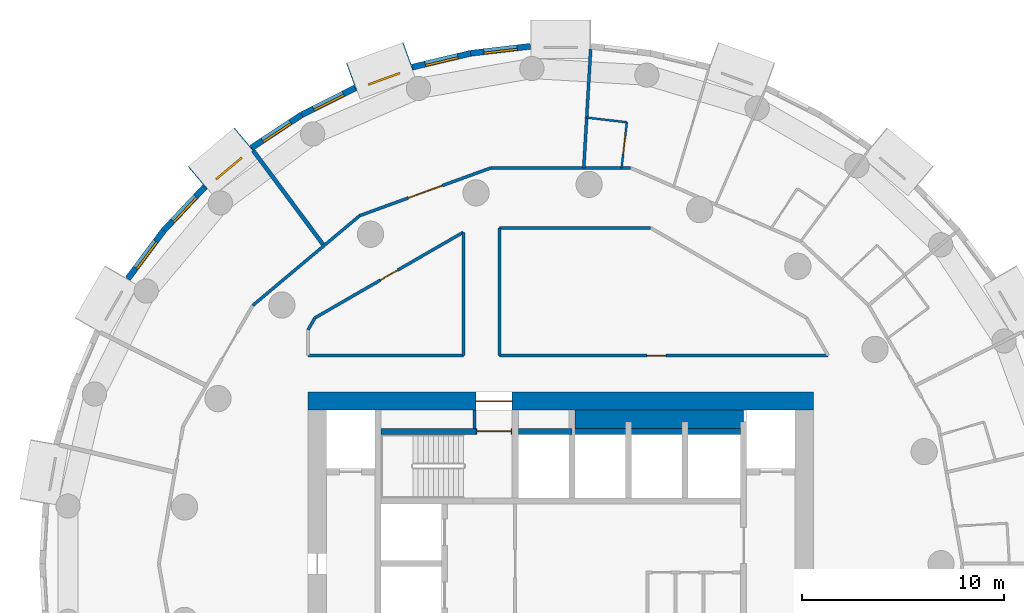
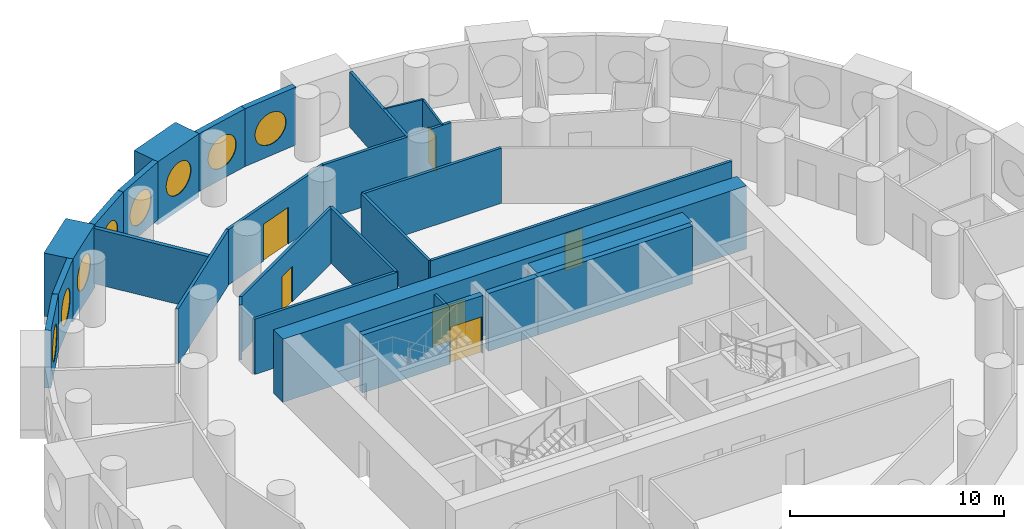
# One storey, part 6 of 10: 29 walls, 8 windows, 6 doors, 14 openings.
"""IFC4 building model written with IfcOpenShell, lengths in metres."""

from ifc_helpers import new_model, si_unit, direction, frame, frame_2d, origin, origin_2d, place, context, subcontext, project, spatial, rectangle, circle, extrude, material, layer, layer_set, type_object, element, fill, save


model = new_model("IFC4")

# Units and contexts
model_context = context("Model", 3, precision=1e-05, world=origin(), true_north=direction((0.0, 1.0)))
body_context = subcontext(model_context, "Body", "Model", "MODEL_VIEW")
ifc_project = project(units=[si_unit("LENGTHUNIT", "METRE"), si_unit("AREAUNIT", "SQUARE_METRE"), si_unit("VOLUMEUNIT", "CUBIC_METRE"), si_unit("PLANEANGLEUNIT", "RADIAN"), si_unit("MASSUNIT", "GRAM", prefix="KILO")], contexts=[model_context])

# Site, building, storey
site_placement = place(None, origin())
site = spatial("IfcSite", under=ifc_project, at=site_placement, CompositionType="ELEMENT")
building_placement = place(site_placement, origin())
building = spatial("IfcBuilding", under=site, at=building_placement, Name="Tracery Tower", CompositionType="ELEMENT")
storey_placement = place(building_placement, frame((0.0, 0.0, 212.39990234375)))
storey = spatial("IfcBuildingStorey", under=building, at=storey_placement, Name="L55", CompositionType="ELEMENT", Elevation=212.39990234375)

# Walls
ifc_material_1 = material(Name="Plasterboard on steel studs", Category="steel")
ifc_layer_1 = layer(ifc_material_1, 0.14990234375)
ifc_layer_set_1 = layer_set([ifc_layer_1], Name="Core room partition 150")
wall_type_1 = type_object("IfcWallType", Name="Core room partition 150", PredefinedType="SOLIDWALL", material=ifc_layer_set_1)
wall_1_placement = place(storey_placement, frame((-4.27490234375, 6.699951171875, 0.0), z_axis=(0.0, 0.0, 1.0), x_axis=(0.0, 1.0, 0.0)))
element("IfcWall", 1, at=wall_1_placement, inside=storey, type_object=wall_type_1, Name="L55 F N room", PredefinedType="SOLIDWALL", context=body_context, shape_type="SweptSolid", body=[
    extrude(rectangle(XDim=0.900146484375, YDim=0.14990234375, at=frame_2d((0.4501953125, 0.0))), origin(), (0.0, 0.0, 1.0), 3.300048828125),
])
ifc_material_2 = material(Name="Concrete C50/60", Category="concrete")
ifc_layer_2 = layer(ifc_material_2, 0.89990234375)
ifc_layer_set_2 = layer_set([ifc_layer_2], Name="Core strip wall 900 C50")
wall_type_2 = type_object("IfcWallType", Name="Core strip wall 900 C50", PredefinedType="SOLIDWALL", material=ifc_layer_set_2)
wall_2_placement = place(storey_placement, frame((0.699951171875, 7.14990234375, 0.0), z_axis=(0.0, 0.0, 1.0), x_axis=(1.0, 0.0, 0.0)))
element("IfcWall", 2, at=wall_2_placement, inside=storey, type_object=wall_type_2, Name="L55 F thick N E", PredefinedType="SOLIDWALL", context=body_context, shape_type="SweptSolid", body=[
    extrude(rectangle(XDim=8.35009765625, YDim=0.89990234375, at=frame_2d((4.175048828125, 0.0))), origin(), (0.0, 0.0, 1.0), 3.300048828125),
])

# Wall, opening, door
ifc_material_3 = material(Name="Concrete C50/60", Category="concrete")
ifc_layer_3 = layer(ifc_material_3, 0.89990234375)
ifc_layer_set_3 = layer_set([ifc_layer_3], Name="Core wall 900 C50")
wall_type_3 = type_object("IfcWallType", Name="Core wall 900 C50", PredefinedType="SOLIDWALL", material=ifc_layer_set_3)
wall_3_placement = place(storey_placement, frame((-12.5, 8.050048828125, 0.0), z_axis=(0.0, 0.0, 1.0), x_axis=(1.0, 0.0, 0.0)))
wall_3 = element("IfcWall", 3, at=wall_3_placement, inside=storey, type_object=wall_type_3, Name="L55 outer N", PredefinedType="SOLIDWALL", context=body_context, shape_type="SweptSolid", body=[
    extrude(rectangle(XDim=25.0, YDim=0.89990234375, at=frame_2d((12.5, 0.0))), origin(), (0.0, 0.0, 1.0), 3.60009765625),
])
opening_1_placement = place(wall_3_placement, frame((8.300048828125, 0.0, 0.0)))
opening_1 = element("IfcOpeningElement", 4, at=opening_1_placement, cuts=wall_3, Name="Opening KD13", PredefinedType="OPENING", context=body_context, shape_type="SweptSolid", body=[
    extrude(rectangle(XDim=1.800048828125, YDim=2.10009765625, at=frame_2d((0.89990234375, 1.050048828125))), frame((0.0, 0.449951171875, 0.0), z_axis=(0.0, -1.0, 0.0), x_axis=(1.0, 0.0, 0.0)), (0.0, 0.0, 1.0), 0.89990234375),
])
ifc_material_4 = material(Name="Steel fire door", Category="steel")
door_type_1 = type_object("IfcDoorType", Name="Core exit door 1800 double", OperationType="NOTDEFINED", PredefinedType="DOOR", material=ifc_material_4)
door_1_placement = place(opening_1_placement, origin())
door_1 = element("IfcDoor", 5, at=door_1_placement, inside=storey, type_object=door_type_1, Name="Core exit door", OperationType="DOUBLE_DOOR_SINGLE_SWING", OverallHeight=2.10009765625, OverallWidth=1.800048828125, PredefinedType="DOOR", context=body_context, shape_type="SweptSolid", body=[
    extrude(rectangle(XDim=1.800048828125, YDim=2.10009765625, at=frame_2d((0.89990234375, 1.050048828125))), frame((0.0, 0.02490234375, 0.0), z_axis=(0.0, -1.0, 0.0), x_axis=(1.0, 0.0, 0.0)), (0.0, 0.0, 1.0), 0.050048828125),
])
fill(opening_1, door_1)

# Wall, opening, window
ifc_material_5 = material(Name="Precast concrete C50/60", Category="concrete")
ifc_layer_4 = layer(ifc_material_5, 1.449951171875)
ifc_layer_set_4 = layer_set([ifc_layer_4], Name="Deep-set bay unit 3000 x 3600, slab edge 300")
wall_type_4 = type_object("IfcWallType", Name="Deep-set bay unit 3000 x 3600, slab edge 300", PredefinedType="ELEMENTEDWALL", material=ifc_layer_set_4)
wall_4_placement = place(storey_placement, frame((-7.544189453125, 25.11328125, -0.2998046875), z_axis=(0.0, 0.0, 1.0), x_axis=(-0.939686455819, -0.342037080957, 0.0)))
wall_4 = element("IfcWall", 6, at=wall_4_placement, inside=storey, type_object=wall_type_4, Name="Deep-set bay unit 17 at L55", PredefinedType="ELEMENTEDWALL", context=body_context, shape_type="SweptSolid", body=[
    extrude(rectangle(XDim=3.0, YDim=1.449951171875, at=frame_2d((1.5, 0.0))), origin(), (0.0, 0.0, 1.0), 3.599853515625),
])
opening_2_placement = place(wall_4_placement, frame((1.5, 0.0, 1.85009765625)))
opening_2 = element("IfcOpeningElement", 7, at=opening_2_placement, cuts=wall_4, Name="Opening WN1", PredefinedType="OPENING", context=body_context, shape_type="SweptSolid", body=[
    extrude(circle(Radius=0.9000244140625, at=origin_2d()), frame((0.0, 0.73486328125, 0.0), z_axis=(0.0, -1.0, 0.0), x_axis=(1.0, 0.0, 0.0)), (0.0, 0.0, 1.0), 1.469970703125),
])
ifc_material_6 = material(Name="Aluminium frame with tinted double glazing", Category="aluminium")
window_type = type_object("IfcWindowType", Name="Round window 1800", PartitioningType="SINGLE_PANEL", PredefinedType="WINDOW", material=ifc_material_6)
window_1_placement = place(opening_2_placement, origin())
window_1 = element("IfcWindow", 8, at=window_1_placement, inside=storey, type_object=window_type, Name="Round window 17 at L55", OverallHeight=1.800048828125, OverallWidth=1.800048828125, PartitioningType="SINGLE_PANEL", PredefinedType="WINDOW", context=body_context, shape_type="SweptSolid", body=[
    extrude(circle(Radius=0.9000244140625, at=origin_2d()), frame((0.0, 0.69482421875, 0.0), z_axis=(0.0, -1.0, 0.0), x_axis=(1.0, 0.0, 0.0)), (0.0, 0.0, 1.0), 0.10009765625),
])
fill(opening_2, window_1)

wall_5_placement = place(storey_placement, frame((-15.678466796875, 21.0185546875, -0.2998046875), z_axis=(0.0, 0.0, 1.0), x_axis=(-0.766022196139, -0.642814121673, 0.0)))
wall_5 = element("IfcWall", 9, at=wall_5_placement, inside=storey, type_object=wall_type_4, Name="Deep-set bay unit 20 at L55", PredefinedType="ELEMENTEDWALL", context=body_context, shape_type="SweptSolid", body=[
    extrude(rectangle(XDim=3.0, YDim=1.449951171875, at=frame_2d((1.5, 0.0))), origin(), (0.0, 0.0, 1.0), 3.599853515625),
])
opening_3_placement = place(wall_5_placement, frame((1.5, 0.0, 1.85009765625)))
opening_3 = element("IfcOpeningElement", 10, at=opening_3_placement, cuts=wall_5, Name="Opening WN1", PredefinedType="OPENING", context=body_context, shape_type="SweptSolid", body=[
    extrude(circle(Radius=0.9000244140625, at=origin_2d()), frame((0.0, 0.73486328125, 0.0), z_axis=(0.0, -1.0, 0.0), x_axis=(1.0, 0.0, 0.0)), (0.0, 0.0, 1.0), 1.469970703125),
])
window_2_placement = place(opening_3_placement, origin())
window_2 = element("IfcWindow", 11, at=window_2_placement, inside=storey, type_object=window_type, Name="Round window 20 at L55", OverallHeight=1.800048828125, OverallWidth=1.800048828125, PartitioningType="SINGLE_PANEL", PredefinedType="WINDOW", context=body_context, shape_type="SweptSolid", body=[
    extrude(circle(Radius=0.9000244140625, at=origin_2d()), frame((0.0, 0.69482421875, 0.0), z_axis=(0.0, -1.0, 0.0), x_axis=(1.0, 0.0, 0.0)), (0.0, 0.0, 1.0), 0.10009765625),
])
fill(opening_3, window_2)

ifc_material_7 = material(Name="Precast concrete C50/60", Category="concrete")
ifc_layer_5 = layer(ifc_material_7, 0.300048828125)
ifc_layer_set_5 = layer_set([ifc_layer_5], Name="Facade panel 3000 x 3300")
wall_type_5 = type_object("IfcWallType", Name="Facade panel 3000 x 3300", PredefinedType="SOLIDWALL", material=ifc_layer_set_5)
wall_6_placement = place(storey_placement, frame((-1.500732421875, 25.60302734375, 0.0), z_axis=(0.0, 0.0, 1.0), x_axis=(-0.993235542767, -0.116116995244, 0.0)))
wall_6 = element("IfcWall", 12, at=wall_6_placement, inside=storey, type_object=wall_type_5, Name="Facade panel 15 at L55", PredefinedType="SOLIDWALL", context=body_context, shape_type="SweptSolid", body=[
    extrude(rectangle(XDim=2.972900390625, YDim=0.300048828125, at=frame_2d((1.486328125, 0.0))), origin(), (0.0, 0.0, 1.0), 3.300048828125),
])
opening_4_placement = place(wall_6_placement, frame((1.486328125, 0.0, 1.5498046875)))
opening_4 = element("IfcOpeningElement", 13, at=opening_4_placement, cuts=wall_6, Name="Opening WN1", PredefinedType="OPENING", context=body_context, shape_type="SweptSolid", body=[
    extrude(circle(Radius=0.9000244140625, at=origin_2d()), frame((0.0, 0.159912109375, 0.0), z_axis=(0.0, -1.0, 0.0), x_axis=(1.0, 0.0, 0.0)), (0.0, 0.0, 1.0), 0.320068359375),
])
window_3_placement = place(opening_4_placement, origin())
window_3 = element("IfcWindow", 14, at=window_3_placement, inside=storey, type_object=window_type, Name="Round window 15 at L55", OverallHeight=1.800048828125, OverallWidth=1.800048828125, PartitioningType="SINGLE_PANEL", PredefinedType="WINDOW", context=body_context, shape_type="SweptSolid", body=[
    extrude(circle(Radius=0.9000244140625, at=origin_2d()), frame((0.0, 0.1201171875, 0.0), z_axis=(0.0, -1.0, 0.0), x_axis=(1.0, 0.0, 0.0)), (0.0, 0.0, 1.0), 0.10009765625),
])
fill(opening_4, window_3)

wall_7_placement = place(storey_placement, frame((-4.45361328125, 25.2578125, 0.0), z_axis=(0.0, 0.0, 1.0), x_axis=(-0.973049746156, -0.230595298102, 0.0)))
wall_7 = element("IfcWall", 15, at=wall_7_placement, inside=storey, type_object=wall_type_5, Name="Facade panel 16 at L55", PredefinedType="SOLIDWALL", context=body_context, shape_type="SweptSolid", body=[
    extrude(rectangle(XDim=2.972900390625, YDim=0.300048828125, at=frame_2d((1.486328125, 0.0))), origin(), (0.0, 0.0, 1.0), 3.300048828125),
])
opening_5_placement = place(wall_7_placement, frame((1.486328125, 0.0, 1.5498046875)))
opening_5 = element("IfcOpeningElement", 16, at=opening_5_placement, cuts=wall_7, Name="Opening WN1", PredefinedType="OPENING", context=body_context, shape_type="SweptSolid", body=[
    extrude(circle(Radius=0.9000244140625, at=origin_2d()), frame((0.0, 0.159912109375, 0.0), z_axis=(0.0, -1.0, 0.0), x_axis=(1.0, 0.0, 0.0)), (0.0, 0.0, 1.0), 0.320068359375),
])
window_4_placement = place(opening_5_placement, origin())
window_4 = element("IfcWindow", 17, at=window_4_placement, inside=storey, type_object=window_type, Name="Round window 16 at L55", OverallHeight=1.800048828125, OverallWidth=1.800048828125, PartitioningType="SINGLE_PANEL", PredefinedType="WINDOW", context=body_context, shape_type="SweptSolid", body=[
    extrude(circle(Radius=0.9000244140625, at=origin_2d()), frame((0.0, 0.1201171875, 0.0), z_axis=(0.0, -1.0, 0.0), x_axis=(1.0, 0.0, 0.0)), (0.0, 0.0, 1.0), 0.10009765625),
])
fill(opening_5, window_4)

wall_8_placement = place(storey_placement, frame((-10.1669921875, 23.545654296875, 0.0), z_axis=(0.0, 0.0, 1.0), x_axis=(-0.893637442555, -0.448789618045, 0.0)))
wall_8 = element("IfcWall", 18, at=wall_8_placement, inside=storey, type_object=wall_type_5, Name="Facade panel 18 at L55", PredefinedType="SOLIDWALL", context=body_context, shape_type="SweptSolid", body=[
    extrude(rectangle(XDim=2.972900390625, YDim=0.300048828125, at=frame_2d((1.486328125, 0.0))), origin(), (0.0, 0.0, 1.0), 3.300048828125),
])
opening_6_placement = place(wall_8_placement, frame((1.486328125, 0.0, 1.5498046875)))
opening_6 = element("IfcOpeningElement", 19, at=opening_6_placement, cuts=wall_8, Name="Opening WN1", PredefinedType="OPENING", context=body_context, shape_type="SweptSolid", body=[
    extrude(circle(Radius=0.9000244140625, at=origin_2d()), frame((0.0, 0.159912109375, 0.0), z_axis=(0.0, -1.0, 0.0), x_axis=(1.0, 0.0, 0.0)), (0.0, 0.0, 1.0), 0.320068359375),
])
window_5_placement = place(opening_6_placement, origin())
window_5 = element("IfcWindow", 20, at=window_5_placement, inside=storey, type_object=window_type, Name="Round window 18 at L55", OverallHeight=1.800048828125, OverallWidth=1.800048828125, PartitioningType="SINGLE_PANEL", PredefinedType="WINDOW", context=body_context, shape_type="SweptSolid", body=[
    extrude(circle(Radius=0.9000244140625, at=origin_2d()), frame((0.0, 0.1201171875, 0.0), z_axis=(0.0, -1.0, 0.0), x_axis=(1.0, 0.0, 0.0)), (0.0, 0.0, 1.0), 0.10009765625),
])
fill(opening_6, window_5)

wall_9_placement = place(storey_placement, frame((-12.82373046875, 22.21142578125, 0.0), z_axis=(0.0, 0.0, 1.0), x_axis=(-0.835470659512, -0.549535055382, 0.0)))
wall_9 = element("IfcWall", 21, at=wall_9_placement, inside=storey, type_object=wall_type_5, Name="Facade panel 19 at L55", PredefinedType="SOLIDWALL", context=body_context, shape_type="SweptSolid", body=[
    extrude(rectangle(XDim=2.97314453125, YDim=0.300048828125, at=frame_2d((1.486572265625, 0.0))), origin(), (0.0, 0.0, 1.0), 3.300048828125),
])
opening_7_placement = place(wall_9_placement, frame((1.486328125, 0.0, 1.5498046875)))
opening_7 = element("IfcOpeningElement", 22, at=opening_7_placement, cuts=wall_9, Name="Opening WN1", PredefinedType="OPENING", context=body_context, shape_type="SweptSolid", body=[
    extrude(circle(Radius=0.9000244140625, at=origin_2d()), frame((0.0, 0.159912109375, 0.0), z_axis=(0.0, -1.0, 0.0), x_axis=(1.0, 0.0, 0.0)), (0.0, 0.0, 1.0), 0.320068359375),
])
window_6_placement = place(opening_7_placement, origin())
window_6 = element("IfcWindow", 23, at=window_6_placement, inside=storey, type_object=window_type, Name="Round window 19 at L55", OverallHeight=1.800048828125, OverallWidth=1.800048828125, PartitioningType="SINGLE_PANEL", PredefinedType="WINDOW", context=body_context, shape_type="SweptSolid", body=[
    extrude(circle(Radius=0.9000244140625, at=origin_2d()), frame((0.0, 0.1201171875, 0.0), z_axis=(0.0, -1.0, 0.0), x_axis=(1.0, 0.0, 0.0)), (0.0, 0.0, 1.0), 0.10009765625),
])
fill(opening_7, window_6)

wall_10_placement = place(storey_placement, frame((-17.60693359375, 18.648193359375, 0.0), z_axis=(0.0, 0.0, 1.0), x_axis=(-0.686235184166, -0.727379730273, 0.0)))
wall_10 = element("IfcWall", 24, at=wall_10_placement, inside=storey, type_object=wall_type_5, Name="Facade panel 21 at L55", PredefinedType="SOLIDWALL", context=body_context, shape_type="SweptSolid", body=[
    extrude(rectangle(XDim=2.972900390625, YDim=0.300048828125, at=frame_2d((1.486328125, 0.0))), origin(), (0.0, 0.0, 1.0), 3.300048828125),
])
opening_8_placement = place(wall_10_placement, frame((1.486328125, 0.0, 1.5498046875)))
opening_8 = element("IfcOpeningElement", 25, at=opening_8_placement, cuts=wall_10, Name="Opening WN1", PredefinedType="OPENING", context=body_context, shape_type="SweptSolid", body=[
    extrude(circle(Radius=0.9000244140625, at=origin_2d()), frame((0.0, 0.159912109375, 0.0), z_axis=(0.0, -1.0, 0.0), x_axis=(1.0, 0.0, 0.0)), (0.0, 0.0, 1.0), 0.320068359375),
])
window_7_placement = place(opening_8_placement, origin())
window_7 = element("IfcWindow", 26, at=window_7_placement, inside=storey, type_object=window_type, Name="Round window 21 at L55", OverallHeight=1.800048828125, OverallWidth=1.800048828125, PartitioningType="SINGLE_PANEL", PredefinedType="WINDOW", context=body_context, shape_type="SweptSolid", body=[
    extrude(circle(Radius=0.9000244140625, at=origin_2d()), frame((0.0, 0.1201171875, 0.0), z_axis=(0.0, -1.0, 0.0), x_axis=(1.0, 0.0, 0.0)), (0.0, 0.0, 1.0), 0.10009765625),
])
fill(opening_8, window_7)

wall_11_placement = place(storey_placement, frame((-19.64697265625, 16.48583984375, 0.0), z_axis=(0.0, 0.0, 1.0), x_axis=(-0.597197580538, -0.80209416517, 0.0)))
wall_11 = element("IfcWall", 27, at=wall_11_placement, inside=storey, type_object=wall_type_5, Name="Facade panel 22 at L55", PredefinedType="SOLIDWALL", context=body_context, shape_type="SweptSolid", body=[
    extrude(rectangle(XDim=2.972900390625, YDim=0.300048828125, at=frame_2d((1.486328125, 0.0))), origin(), (0.0, 0.0, 1.0), 3.300048828125),
])
opening_9_placement = place(wall_11_placement, frame((1.486328125, 0.0, 1.5498046875)))
opening_9 = element("IfcOpeningElement", 28, at=opening_9_placement, cuts=wall_11, Name="Opening WN1", PredefinedType="OPENING", context=body_context, shape_type="SweptSolid", body=[
    extrude(circle(Radius=0.9000244140625, at=origin_2d()), frame((0.0, 0.159912109375, 0.0), z_axis=(0.0, -1.0, 0.0), x_axis=(1.0, 0.0, 0.0)), (0.0, 0.0, 1.0), 0.320068359375),
])
window_8_placement = place(opening_9_placement, origin())
window_8 = element("IfcWindow", 29, at=window_8_placement, inside=storey, type_object=window_type, Name="Round window 22 at L55", OverallHeight=1.800048828125, OverallWidth=1.800048828125, PartitioningType="SINGLE_PANEL", PredefinedType="WINDOW", context=body_context, shape_type="SweptSolid", body=[
    extrude(circle(Radius=0.9000244140625, at=origin_2d()), frame((0.0, 0.1201171875, 0.0), z_axis=(0.0, -1.0, 0.0), x_axis=(1.0, 0.0, 0.0)), (0.0, 0.0, 1.0), 0.10009765625),
])
fill(opening_9, window_8)

# Wall, opening, door
ifc_material_8 = material(Name="Plasterboard on steel studs", Category="steel")
ifc_layer_6 = layer(ifc_material_8, 0.10009765625)
ifc_layer_set_6 = layer_set([ifc_layer_6], Name="Partition 100 wet wall")
wall_type_6 = type_object("IfcWallType", Name="Partition 100 wet wall", PredefinedType="PARTITIONING", material=ifc_layer_set_6)
wall_12_placement = place(storey_placement, frame((3.011962890625, 19.5859375, 0.0), z_axis=(0.0, 0.0, 1.0), x_axis=(0.115762284594, 0.993276947012, 0.0)))
wall_12 = element("IfcWall", 30, at=wall_12_placement, inside=storey, type_object=wall_type_6, Name="Wet wall RB9-060", PredefinedType="PARTITIONING", context=body_context, shape_type="SweptSolid", body=[
    extrude(rectangle(XDim=2.271484375, YDim=0.10009765625, at=frame_2d((1.1357421875, 0.0))), origin(), (0.0, 0.0, 1.0), 3.150146484375),
])
opening_10_placement = place(wall_12_placement, frame((0.68603515625, 0.0, 0.0)))
opening_10 = element("IfcOpeningElement", 31, at=opening_10_placement, cuts=wall_12, Name="Opening RB9-17", PredefinedType="OPENING", context=body_context, shape_type="SweptSolid", body=[
    extrude(rectangle(XDim=0.89990234375, YDim=2.0400390625, at=frame_2d((0.449951171875, 1.02001953125))), frame((0.0, 0.050048828125, 0.0), z_axis=(0.0, -1.0, 0.0), x_axis=(1.0, 0.0, 0.0)), (0.0, 0.0, 1.0), 0.10009765625),
])
ifc_material_9 = material(Name="Timber door leaf", Category="wood")
door_type_2 = type_object("IfcDoorType", Name="Door en-suite 900", OperationType="NOTDEFINED", PredefinedType="DOOR", material=ifc_material_9)
door_2_placement = place(opening_10_placement, origin())
door_2 = element("IfcDoor", 32, at=door_2_placement, inside=storey, type_object=door_type_2, Name="En-suite door RB9-17", OperationType="SINGLE_SWING_RIGHT", OverallHeight=2.0400390625, OverallWidth=0.89990234375, PredefinedType="DOOR", context=body_context, shape_type="SweptSolid", body=[
    extrude(rectangle(XDim=0.89990234375, YDim=2.0400390625, at=frame_2d((0.449951171875, 1.02001953125))), frame((0.0, 0.02490234375, 0.0), z_axis=(0.0, -1.0, 0.0), x_axis=(1.0, 0.0, 0.0)), (0.0, 0.0, 1.0), 0.050048828125),
])
fill(opening_10, door_2)

# Walls
wall_13_placement = place(storey_placement, frame((1.285888671875, 22.073974609375, 0.0), z_axis=(0.0, 0.0, 1.0), x_axis=(0.993269919916, -0.115822563388, 0.0)))
element("IfcWall", 33, at=wall_13_placement, inside=storey, type_object=wall_type_6, Name="Wet wall RB9-061", PredefinedType="PARTITIONING", context=body_context, shape_type="SweptSolid", body=[
    extrude(rectangle(XDim=2.00244140625, YDim=0.10009765625, at=frame_2d((1.001220703125, 0.0))), origin(), (0.0, 0.0, 1.0), 3.150146484375),
])
ifc_material_10 = material(Name="Plasterboard on steel studs", Category="steel")
ifc_layer_7 = layer(ifc_material_10, 0.14990234375)
ifc_layer_set_7 = layer_set([ifc_layer_7], Name="Partition 150 acoustic unit wall")
wall_type_7 = type_object("IfcWallType", Name="Partition 150 acoustic unit wall", PredefinedType="PARTITIONING", material=ifc_layer_set_7)
wall_14_placement = place(storey_placement, frame((1.14111328125, 19.5859375, 0.0), z_axis=(0.0, 0.0, 1.0), x_axis=(0.058147412668, 0.998308007781, 0.0)))
element("IfcWall", 34, at=wall_14_placement, inside=storey, type_object=wall_type_7, Name="Unit wall RB9-062", PredefinedType="PARTITIONING", context=body_context, shape_type="SweptSolid", body=[
    extrude(rectangle(XDim=5.878173828125, YDim=0.14990234375, at=frame_2d((2.93896484375, 0.0))), origin(), (0.0, 0.0, 1.0), 3.150146484375),
])
ifc_material_11 = material(Name="Plasterboard on steel studs", Category="steel")
ifc_layer_8 = layer(ifc_material_11, 0.14990234375)
ifc_layer_set_8 = layer_set([ifc_layer_8], Name="Partition 150 corridor wall")
wall_type_8 = type_object("IfcWallType", Name="Partition 150 corridor wall", PredefinedType="PARTITIONING", material=ifc_layer_set_8)
wall_15_placement = place(storey_placement, frame((-12.50390625, 10.300048828125, 0.0), z_axis=(0.0, 0.0, 1.0), x_axis=(1.0, 0.0, 0.0)))
element("IfcWall", 35, at=wall_15_placement, inside=storey, type_object=wall_type_8, Name="Corridor wall RB9-001", PredefinedType="PARTITIONING", context=body_context, shape_type="SweptSolid", body=[
    extrude(rectangle(XDim=7.68701171875, YDim=0.14990234375, at=frame_2d((3.843505859375, 0.0))), origin(), (0.0, 0.0, 1.0), 3.150146484375),
])

# Wall, opening, door
wall_16_placement = place(storey_placement, frame((-3.02490234375, 10.300048828125, 0.0), z_axis=(0.0, 0.0, 1.0), x_axis=(1.0, 0.0, 0.0)))
wall_16 = element("IfcWall", 36, at=wall_16_placement, inside=storey, type_object=wall_type_8, Name="Corridor wall RB9-002", PredefinedType="PARTITIONING", context=body_context, shape_type="SweptSolid", body=[
    extrude(rectangle(XDim=16.261962890625, YDim=0.14990234375, at=frame_2d((8.130859375, 0.0))), origin(), (0.0, 0.0, 1.0), 3.150146484375),
])
opening_11_placement = place(wall_16_placement, frame((7.2880859375, 0.0, 0.0)))
opening_11 = element("IfcOpeningElement", 37, at=opening_11_placement, cuts=wall_16, Name="Opening RB9-02", PredefinedType="OPENING", context=body_context, shape_type="SweptSolid", body=[
    extrude(rectangle(XDim=0.949951171875, YDim=2.10009765625, at=frame_2d((0.47509765625, 1.050048828125))), frame((0.0, 0.074951171875, 0.0), z_axis=(0.0, -1.0, 0.0), x_axis=(1.0, 0.0, 0.0)), (0.0, 0.0, 1.0), 0.14990234375),
])
ifc_material_12 = material(Name="Timber door leaf", Category="wood")
door_type_3 = type_object("IfcDoorType", Name="Door store 950", OperationType="NOTDEFINED", PredefinedType="DOOR", material=ifc_material_12)
door_3_placement = place(opening_11_placement, origin())
door_3 = element("IfcDoor", 38, at=door_3_placement, inside=storey, type_object=door_type_3, Name="Store door RB9-02", OperationType="SINGLE_SWING_RIGHT", OverallHeight=2.10009765625, OverallWidth=0.949951171875, PredefinedType="DOOR", context=body_context, shape_type="SweptSolid", body=[
    extrude(rectangle(XDim=0.949951171875, YDim=2.10009765625, at=frame_2d((0.47509765625, 1.050048828125))), frame((0.0, 0.02490234375, 0.0), z_axis=(0.0, -1.0, 0.0), x_axis=(1.0, 0.0, 0.0)), (0.0, 0.0, 1.0), 0.050048828125),
])
fill(opening_11, door_3)

# Wall
wall_17_placement = place(storey_placement, frame((-4.821044921875, 10.300048828125, 0.0), z_axis=(0.0, 0.0, 1.0), x_axis=(0.0, 1.0, 0.0)))
element("IfcWall", 39, at=wall_17_placement, inside=storey, type_object=wall_type_8, Name="Corridor wall RB9-013", PredefinedType="PARTITIONING", context=body_context, shape_type="SweptSolid", body=[
    extrude(rectangle(XDim=6.100830078125, YDim=0.14990234375, at=frame_2d((3.05029296875, 0.0))), origin(), (0.0, 0.0, 1.0), 3.150146484375),
])

# Wall, opening, door
wall_18_placement = place(storey_placement, frame((-12.162109375, 12.162109375, 0.0), z_axis=(0.0, 0.0, 1.0), x_axis=(0.866004766557, 0.500035743023, 0.0)))
wall_18 = element("IfcWall", 40, at=wall_18_placement, inside=storey, type_object=wall_type_8, Name="Corridor wall RB9-014", PredefinedType="PARTITIONING", context=body_context, shape_type="SweptSolid", body=[
    extrude(rectangle(XDim=8.47705078125, YDim=0.14990234375, at=frame_2d((4.238525390625, 0.0))), origin(), (0.0, 0.0, 1.0), 3.150146484375),
])
opening_12_placement = place(wall_18_placement, frame((3.739013671875, 0.0, 0.0)))
opening_12 = element("IfcOpeningElement", 41, at=opening_12_placement, cuts=wall_18, Name="Opening RB9-01", PredefinedType="OPENING", context=body_context, shape_type="SweptSolid", body=[
    extrude(rectangle(XDim=1.0, YDim=2.0400390625, at=frame_2d((0.5, 1.02001953125))), frame((0.0, 0.074951171875, 0.0), z_axis=(0.0, -1.0, 0.0), x_axis=(1.0, 0.0, 0.0)), (0.0, 0.0, 1.0), 0.14990234375),
])
ifc_material_13 = material(Name="Timber door leaf", Category="wood")
door_type_4 = type_object("IfcDoorType", Name="Door communal room 1000", OperationType="NOTDEFINED", PredefinedType="DOOR", material=ifc_material_13)
door_4_placement = place(opening_12_placement, origin())
door_4 = element("IfcDoor", 42, at=door_4_placement, inside=storey, type_object=door_type_4, Name="Communal room door RB9-01", OperationType="SINGLE_SWING_LEFT", OverallHeight=2.0400390625, OverallWidth=1.0, PredefinedType="DOOR", context=body_context, shape_type="SweptSolid", body=[
    extrude(rectangle(XDim=1.0, YDim=2.0400390625, at=frame_2d((0.5, 1.02001953125))), frame((0.0, 0.02490234375, 0.0), z_axis=(0.0, -1.0, 0.0), x_axis=(1.0, 0.0, 0.0)), (0.0, 0.0, 1.0), 0.050048828125),
])
fill(opening_12, door_4)

# Walls
wall_19_placement = place(storey_placement, frame((-3.02099609375, 16.614013671875, 0.0), z_axis=(0.0, 0.0, 1.0), x_axis=(1.0, 0.0, 0.0)))
element("IfcWall", 43, at=wall_19_placement, inside=storey, type_object=wall_type_8, Name="Corridor wall RB9-016", PredefinedType="PARTITIONING", context=body_context, shape_type="SweptSolid", body=[
    extrude(rectangle(XDim=7.472900390625, YDim=0.14990234375, at=frame_2d((3.736328125, 0.0))), origin(), (0.0, 0.0, 1.0), 3.150146484375),
])
wall_20_placement = place(storey_placement, frame((-3.02099609375, 10.300048828125, 0.0), z_axis=(0.0, 0.0, 1.0), x_axis=(0.0, 1.0, 0.0)))
element("IfcWall", 44, at=wall_20_placement, inside=storey, type_object=wall_type_8, Name="Corridor wall RB9-017", PredefinedType="PARTITIONING", context=body_context, shape_type="SweptSolid", body=[
    extrude(rectangle(XDim=6.31396484375, YDim=0.14990234375, at=frame_2d((3.156982421875, 0.0))), origin(), (0.0, 0.0, 1.0), 3.150146484375),
])
wall_21_placement = place(storey_placement, frame((-3.452880859375, 19.5859375, 0.0), z_axis=(0.0, 0.0, 1.0), x_axis=(1.0, 0.0, 0.0)))
element("IfcWall", 45, at=wall_21_placement, inside=storey, type_object=wall_type_8, Name="Corridor wall RB9-019", PredefinedType="PARTITIONING", context=body_context, shape_type="SweptSolid", body=[
    extrude(rectangle(XDim=6.90576171875, YDim=0.14990234375, at=frame_2d((3.452880859375, 0.0))), origin(), (0.0, 0.0, 1.0), 3.150146484375),
])
wall_22_placement = place(storey_placement, frame((-15.23388671875, 12.78271484375, 0.0), z_axis=(0.0, 0.0, 1.0), x_axis=(0.765936018543, 0.642916802937, 0.0)))
element("IfcWall", 46, at=wall_22_placement, inside=storey, type_object=wall_type_8, Name="Corridor wall RB9-020", PredefinedType="PARTITIONING", context=body_context, shape_type="SweptSolid", body=[
    extrude(rectangle(XDim=6.90625, YDim=0.14990234375, at=frame_2d((3.453125, 0.0))), origin(), (0.0, 0.0, 1.0), 3.150146484375),
])

# Wall, opening, door
wall_23_placement = place(storey_placement, frame((-9.944091796875, 17.222900390625, 0.0), z_axis=(0.0, 0.0, 1.0), x_axis=(0.939672634566, 0.342075050021, 0.0)))
wall_23 = element("IfcWall", 47, at=wall_23_placement, inside=storey, type_object=wall_type_8, Name="Corridor wall RB9-021", PredefinedType="PARTITIONING", context=body_context, shape_type="SweptSolid", body=[
    extrude(rectangle(XDim=6.907958984375, YDim=0.14990234375, at=frame_2d((3.4541015625, 0.0))), origin(), (0.0, 0.0, 1.0), 3.150146484375),
])
opening_13_placement = place(wall_23_placement, frame((2.553955078125, 0.0, 0.0)))
opening_13 = element("IfcOpeningElement", 48, at=opening_13_placement, cuts=wall_23, Name="Opening RB9-18", PredefinedType="OPENING", context=body_context, shape_type="SweptSolid", body=[
    extrude(rectangle(XDim=1.800048828125, YDim=2.10009765625, at=frame_2d((0.89990234375, 1.050048828125))), frame((0.0, 0.074951171875, 0.0), z_axis=(0.0, -1.0, 0.0), x_axis=(1.0, 0.0, 0.0)), (0.0, 0.0, 1.0), 0.14990234375),
])
ifc_material_14 = material(Name="Timber door leaf", Category="wood")
door_type_5 = type_object("IfcDoorType", Name="Door double lounge 1800", OperationType="NOTDEFINED", PredefinedType="DOOR", material=ifc_material_14)
door_5_placement = place(opening_13_placement, origin())
door_5 = element("IfcDoor", 49, at=door_5_placement, inside=storey, type_object=door_type_5, Name="Double lounge door RB9-18", OperationType="DOUBLE_DOOR_SINGLE_SWING", OverallHeight=2.10009765625, OverallWidth=1.800048828125, PredefinedType="DOOR", context=body_context, shape_type="SweptSolid", body=[
    extrude(rectangle(XDim=1.800048828125, YDim=2.10009765625, at=frame_2d((0.89990234375, 1.050048828125))), frame((0.0, 0.02490234375, 0.0), z_axis=(0.0, -1.0, 0.0), x_axis=(1.0, 0.0, 0.0)), (0.0, 0.0, 1.0), 0.050048828125),
])
fill(opening_13, door_5)

# Walls
wall_24_placement = place(storey_placement, frame((-12.5, 11.576904296875, 0.0), z_axis=(0.0, 0.0, 1.0), x_axis=(0.500024767483, 0.866011103799, 0.0)))
element("IfcWall", 50, at=wall_24_placement, inside=storey, type_object=wall_type_8, Name="Corridor wall RB9-022", PredefinedType="PARTITIONING", context=body_context, shape_type="SweptSolid", body=[
    extrude(rectangle(XDim=0.67578125, YDim=0.14990234375, at=frame_2d((0.337890625, 0.0))), origin(), (0.0, 0.0, 1.0), 3.150146484375),
])
ifc_material_15 = material(Name="Plasterboard on steel studs", Category="steel")
ifc_layer_9 = layer(ifc_material_15, 0.199951171875)
ifc_layer_set_9 = layer_set([ifc_layer_9], Name="Partition 200 compartment wall")
wall_type_9 = type_object("IfcWallType", Name="Partition 200 compartment wall", PredefinedType="PARTITIONING", material=ifc_layer_set_9)
wall_25_placement = place(storey_placement, frame((-15.22607421875, 20.451904296875, 0.0), z_axis=(0.0, 0.0, 1.0), x_axis=(0.597151875745, -0.802128192557, 0.0)))
element("IfcWall", 51, at=wall_25_placement, inside=storey, type_object=wall_type_9, Name="Compartment wall RB9-063", PredefinedType="PARTITIONING", context=body_context, shape_type="SweptSolid", body=[
    extrude(rectangle(XDim=5.8779296875, YDim=0.199951171875, at=frame_2d((2.93896484375, 0.0))), origin(), (0.0, 0.0, 1.0), 3.150146484375),
])
ifc_material_16 = material(Name="Concrete C50/60", Category="concrete")
ifc_layer_10 = layer(ifc_material_16, 0.300048828125)
ifc_layer_set_10 = layer_set([ifc_layer_10], Name="Stair wall 300 C50")
wall_type_10 = type_object("IfcWallType", Name="Stair wall 300 C50", PredefinedType="SOLIDWALL", material=ifc_layer_set_10)
wall_26_placement = place(storey_placement, frame((-8.89990234375, 6.550048828125, 0.0), z_axis=(0.0, 0.0, 1.0), x_axis=(1.0, 0.0, 0.0)))
element("IfcWall", 52, at=wall_26_placement, inside=storey, type_object=wall_type_10, Name="L55 F N W", PredefinedType="SOLIDWALL", context=body_context, shape_type="SweptSolid", body=[
    extrude(rectangle(XDim=4.699951171875, YDim=0.300048828125, at=frame_2d((2.35009765625, 0.0))), origin(), (0.0, 0.0, 1.0), 3.300048828125),
])

# Wall, opening, door
wall_27_placement = place(storey_placement, frame((-4.199951171875, 6.550048828125, 0.0), z_axis=(0.0, 0.0, 1.0), x_axis=(1.0, 0.0, 0.0)))
wall_27 = element("IfcWall", 53, at=wall_27_placement, inside=storey, type_object=wall_type_10, Name="L55 F stair N", PredefinedType="SOLIDWALL", context=body_context, shape_type="SweptSolid", body=[
    extrude(rectangle(XDim=1.800048828125, YDim=0.300048828125, at=frame_2d((0.89990234375, 0.0))), origin(), (0.0, 0.0, 1.0), 3.300048828125),
])
opening_14_placement = place(wall_27_placement, frame((0.050048828125, 0.0, 0.0)))
opening_14 = element("IfcOpeningElement", 54, at=opening_14_placement, cuts=wall_27, Name="Opening KD3", PredefinedType="OPENING", context=body_context, shape_type="SweptSolid", body=[
    extrude(rectangle(XDim=1.699951171875, YDim=2.10009765625, at=frame_2d((0.85009765625, 1.050048828125))), frame((0.0, 0.14990234375, 0.0), z_axis=(0.0, -1.0, 0.0), x_axis=(1.0, 0.0, 0.0)), (0.0, 0.0, 1.0), 0.300048828125),
])
ifc_material_17 = material(Name="Steel fire door", Category="steel")
door_type_6 = type_object("IfcDoorType", Name="Core stair door 1700 double", OperationType="NOTDEFINED", PredefinedType="DOOR", material=ifc_material_17)
door_6_placement = place(opening_14_placement, origin())
door_6 = element("IfcDoor", 55, at=door_6_placement, inside=storey, type_object=door_type_6, Name="Stair door vest", OperationType="DOUBLE_DOOR_SINGLE_SWING", OverallHeight=2.10009765625, OverallWidth=1.699951171875, PredefinedType="DOOR", context=body_context, shape_type="SweptSolid", body=[
    extrude(rectangle(XDim=1.699951171875, YDim=2.10009765625, at=frame_2d((0.85009765625, 1.050048828125))), frame((0.0, 0.02490234375, 0.0), z_axis=(0.0, -1.0, 0.0), x_axis=(1.0, 0.0, 0.0)), (0.0, 0.0, 1.0), 0.050048828125),
])
fill(opening_14, door_6)

# Walls
wall_28_placement = place(storey_placement, frame((-2.10009765625, 6.550048828125, 0.0), z_axis=(0.0, 0.0, 1.0), x_axis=(1.0, 0.0, 0.0)))
element("IfcWall", 56, at=wall_28_placement, inside=storey, type_object=wall_type_10, Name="L55 F N E1", PredefinedType="SOLIDWALL", context=body_context, shape_type="SweptSolid", body=[
    extrude(rectangle(XDim=2.650146484375, YDim=0.300048828125, at=frame_2d((1.3251953125, 0.0))), origin(), (0.0, 0.0, 1.0), 3.300048828125),
])
wall_29_placement = place(storey_placement, frame((0.550048828125, 6.550048828125, 0.0), z_axis=(0.0, 0.0, 1.0), x_axis=(1.0, 0.0, 0.0)))
element("IfcWall", 57, at=wall_29_placement, inside=storey, type_object=wall_type_10, Name="L55 F stair strip N E", PredefinedType="SOLIDWALL", context=body_context, shape_type="SweptSolid", body=[
    extrude(rectangle(XDim=8.349853515625, YDim=0.300048828125, at=frame_2d((4.1748046875, 0.0))), origin(), (0.0, 0.0, 1.0), 3.300048828125),
])

save(model, "model.ifc")
